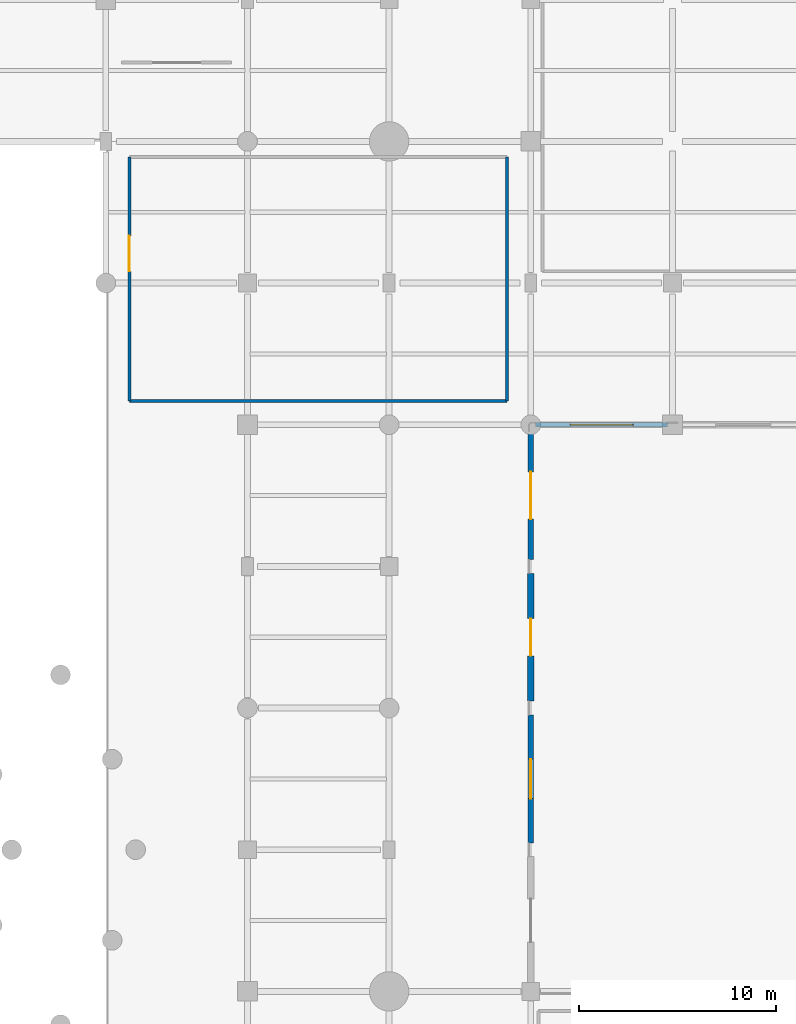
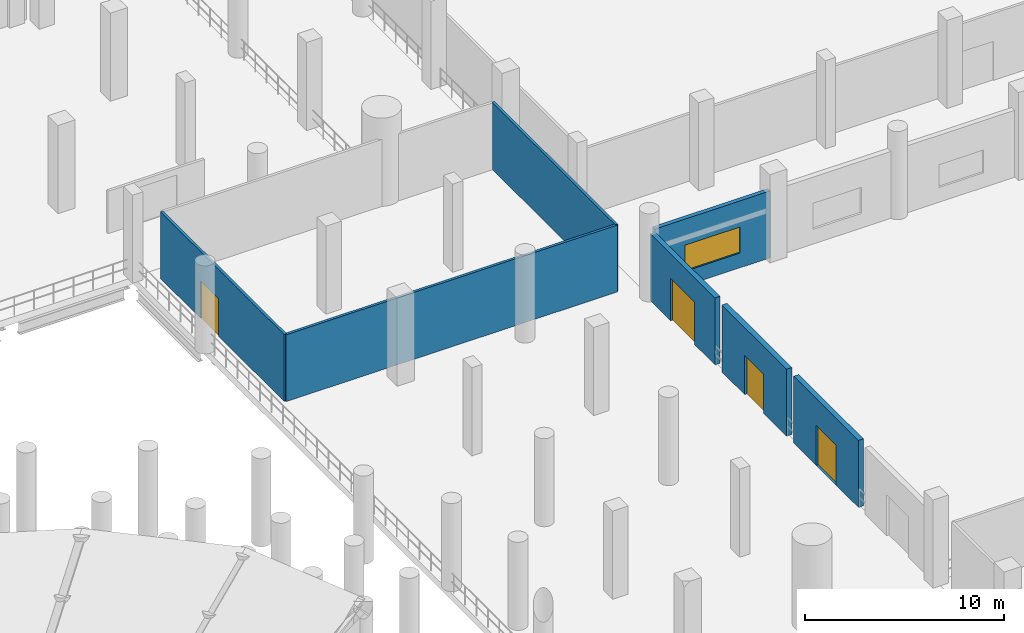
# One storey, part 37 of 58: 7 walls, 4 doors, 1 window, 5 openings.
"""IFC4 building model written with IfcOpenShell, lengths in metres."""

import ifcopenshell
import ifcopenshell.guid

model = None  # the IFC model being written
_history = None  # IfcOwnerHistory: only IFC2X3 demands one
_inside = {}  # id of a spatial element -> (the spatial element, [elements in it])
_under = {}  # id of a project, library or spatial element -> (it, [spatial elements below it])
_declared = {}  # id of a project -> (the project, [libraries it declares])
_typed = {}  # id of a type object -> (the type object, [elements of that type])
_made_of = {}  # id of a material, layer set ... -> (it, [elements and type objects made of it])


def new_model(schema):
    """Start an empty IFC model of exactly this schema.

    Asked for "IFC4X3", IfcOpenShell would pick the latest addendum, in which some entities
    have other attributes; the version numbers below select the first issue.
    IFC2X3 requires an IfcOwnerHistory on every rooted entity: one is made here for all.
    """
    global model, _history
    if schema == "IFC4X3":
        model = ifcopenshell.file(schema_version=(4, 3, 0, 0))
    else:
        model = ifcopenshell.file(schema=schema)
    _inside.clear()
    _under.clear()
    _declared.clear()
    _typed.clear()
    _made_of.clear()
    _history = None
    if model.schema == "IFC2X3":
        org = make("IfcOrganization", Name="unknown")
        user = make(
            "IfcPersonAndOrganization",
            ThePerson=make("IfcPerson", FamilyName="unknown"),
            TheOrganization=org,
        )
        app = make(
            "IfcApplication",
            ApplicationDeveloper=org,
            Version="unknown",
            ApplicationFullName="unknown",
            ApplicationIdentifier="unknown",
        )
        _history = make(
            "IfcOwnerHistory",
            OwningUser=user,
            OwningApplication=app,
            ChangeAction="ADDED",
            CreationDate=0,
        )
    return model


def make(cls, **values):
    """One entity of the class cls with the attributes given. An attribute that is None is left unset."""
    return model.create_entity(
        cls, **{name: value for name, value in values.items() if value is not None}
    )


def rooted(cls, **values):
    """An entity with a GlobalId (a new one), such as an element, a storey or a relation."""
    return make(cls, GlobalId=ifcopenshell.guid.new(), OwnerHistory=_history, **values)


def si_unit(unit_type, name, prefix=None):
    """IfcSIUnit, for example si_unit("LENGTHUNIT", "METRE", prefix="MILLI")."""
    return make("IfcSIUnit", UnitType=unit_type, Prefix=prefix, Name=name)


def assignment(units):
    """IfcUnitAssignment: the units of a project."""
    return None if units is None else make("IfcUnitAssignment", Units=units)


def point(xyz):
    """IfcCartesianPoint."""
    return None if xyz is None else make("IfcCartesianPoint", Coordinates=xyz)


def direction(xyz):
    """IfcDirection."""
    return None if xyz is None else make("IfcDirection", DirectionRatios=xyz)


def frame(location, z_axis=None, x_axis=None):
    """IfcAxis2Placement3D, a coordinate frame: its origin and axes. An axis left out is left unset."""
    return make(
        "IfcAxis2Placement3D",
        Location=point(location),
        Axis=direction(z_axis),
        RefDirection=direction(x_axis),
    )


def frame_2d(location, x_axis=None):
    """IfcAxis2Placement2D, a coordinate frame in the plane: its origin and x axis."""
    return make(
        "IfcAxis2Placement2D", Location=point(location), RefDirection=direction(x_axis)
    )


def origin():
    """The frame at (0, 0, 0) with its axes left unset."""
    return frame((0.0, 0.0, 0.0))


def place(relative_to, where):
    """IfcLocalPlacement: puts the frame where relative to a parent placement (None: the world)."""
    return make(
        "IfcLocalPlacement", PlacementRelTo=relative_to, RelativePlacement=where
    )


def context(
    kind, dimensions, precision=None, world=None, true_north=None, identifier=None
):
    """IfcGeometricRepresentationContext, for example the 3D "Model" context."""
    return make(
        "IfcGeometricRepresentationContext",
        ContextIdentifier=identifier,
        ContextType=kind,
        CoordinateSpaceDimension=dimensions,
        Precision=precision,
        WorldCoordinateSystem=world,
        TrueNorth=true_north,
    )


def subcontext(parent, identifier, kind, view, scale=None):
    """IfcGeometricRepresentationSubContext, for example "Body" below "Model"."""
    return make(
        "IfcGeometricRepresentationSubContext",
        ContextIdentifier=identifier,
        ContextType=kind,
        ParentContext=parent,
        TargetScale=scale,
        TargetView=view,
    )


def project(units=None, contexts=None):
    """IfcProject with its units and contexts."""
    return rooted(
        "IfcProject",
        Name="project",
        RepresentationContexts=contexts,
        UnitsInContext=assignment(units),
    )


def spatial(cls, under=None, at=None, **own):
    """A site, building, storey or space (cls), placed at a placement, below another one or the project."""
    s = rooted(cls, ObjectPlacement=at, **own)
    if under is not None:
        _under.setdefault(under.id(), (under, []))[1].append(s)
    return s


def profile(cls, at=None, kind="AREA", **sizes):
    """A parametric profile (cls). Its sizes go by their IFC names, for example OverallWidth=200.0."""
    return make(cls, ProfileType=kind, Position=at, **sizes)


def rectangle(**sizes):
    """IfcRectangleProfileDef."""
    return profile("IfcRectangleProfileDef", **sizes)


def extrude(swept, where, along, depth):
    """IfcExtrudedAreaSolid: the profile swept, set in the frame where, extruded along a direction by depth."""
    return make(
        "IfcExtrudedAreaSolid",
        SweptArea=swept,
        Position=where,
        ExtrudedDirection=direction(along),
        Depth=depth,
    )


def shape(context_of_items, identifier, shape_type, items):
    """IfcShapeRepresentation: the items that make up one representation, for example the "Body"."""
    return make(
        "IfcShapeRepresentation",
        ContextOfItems=context_of_items,
        RepresentationIdentifier=identifier,
        RepresentationType=shape_type,
        Items=items,
    )


def material(Name=None, Category=None):
    """IfcMaterial."""
    return make("IfcMaterial", Name=Name, Category=Category)


def layer(
    of_material, thickness, ventilated=None, Name=None, Category=None, Priority=None
):
    """IfcMaterialLayer: one layer of a wall or slab, of a material (None: an air gap)."""
    return make(
        "IfcMaterialLayer",
        Material=of_material,
        LayerThickness=thickness,
        IsVentilated=ventilated,
        Name=Name,
        Category=Category,
        Priority=Priority,
    )


def layer_set(layers, Name=None):
    """IfcMaterialLayerSet."""
    return make("IfcMaterialLayerSet", MaterialLayers=layers, LayerSetName=Name)


def made_of(thing, what):
    """Note that an element or type object is made of a material, layer set ...; save() writes the relation."""
    if what is not None:
        _made_of.setdefault(what.id(), (what, []))[1].append(thing)
    return thing


def type_object(cls, material=None, **own):
    """A type object (cls), such as IfcWallType, which elements share."""
    return made_of(rooted(cls, **own), material)


def element(
    cls,
    number,
    at=None,
    inside=None,
    cuts=None,
    type_object=None,
    material=None,
    context=None,
    identifier="Body",
    shape_type=None,
    held_by="IfcProductDefinitionShape",
    body=None,
    shapes=None,
    **own,
):
    """One element of the class cls, such as IfcWall. Its Tag is "e" and its number.

    at: its placement. inside: the storey or other place that contains it. cuts: it is an
    opening in that element (IfcRelVoidsElement). A single representation is given by context,
    identifier, shape_type and body (its items); several are given by shapes. held_by: the class
    of the entity that holds the representations. save() writes the other relations.
    """
    e = rooted(cls, Tag="e%d" % number, ObjectPlacement=at, **own)
    if body is not None:
        shapes = [shape(context, identifier, shape_type, body)]
    if shapes is not None:
        e.Representation = make(held_by, Representations=shapes)
    if inside is not None:
        _inside.setdefault(inside.id(), (inside, []))[1].append(e)
    if cuts is not None:
        rooted(
            "IfcRelVoidsElement", RelatingBuildingElement=cuts, RelatedOpeningElement=e
        )
    if type_object is not None:
        _typed.setdefault(type_object.id(), (type_object, []))[1].append(e)
    return made_of(e, material)


def fill(opening, filler):
    """IfcRelFillsElement: the door or window that sits in an opening."""
    return rooted(
        "IfcRelFillsElement",
        RelatingOpeningElement=opening,
        RelatedBuildingElement=filler,
    )


def aggregate(whole, parts):
    """IfcRelAggregates: a whole, such as a stair, and the parts it consists of."""
    return rooted("IfcRelAggregates", RelatingObject=whole, RelatedObjects=parts)


def save(model, path):
    """Write the relations noted so far, then the file.

    IfcRelAggregates (storeys below a building ...), IfcRelContainedInSpatialStructure (elements
    in a storey), IfcRelDefinesByType, IfcRelAssociatesMaterial and IfcRelDeclares: one each for
    every whole, place, type object, material and project.
    """
    for whole, parts in _under.values():
        aggregate(whole, parts)
    for where, things in _inside.values():
        rooted(
            "IfcRelContainedInSpatialStructure",
            RelatedElements=things,
            RelatingStructure=where,
        )
    for kind, things in _typed.values():
        rooted("IfcRelDefinesByType", RelatedObjects=things, RelatingType=kind)
    for what, things in _made_of.values():
        rooted("IfcRelAssociatesMaterial", RelatedObjects=things, RelatingMaterial=what)
    for by, libraries in _declared.values():
        rooted("IfcRelDeclares", RelatingContext=by, RelatedDefinitions=libraries)
    model.write(path)


model = new_model("IFC4")

# Units and contexts
model_context = context("Model", 3, precision=1e-05, world=origin(), true_north=direction((0.0, 1.0)))
body_context = subcontext(model_context, "Body", "Model", "MODEL_VIEW")
ifc_project = project(units=[si_unit("LENGTHUNIT", "METRE"), si_unit("AREAUNIT", "SQUARE_METRE"), si_unit("VOLUMEUNIT", "CUBIC_METRE"), si_unit("PLANEANGLEUNIT", "RADIAN"), si_unit("MASSUNIT", "GRAM", prefix="KILO")], contexts=[model_context])

# Site, building, storey
site_placement = place(None, origin())
site = spatial("IfcSite", under=ifc_project, at=site_placement, CompositionType="ELEMENT")
building_placement = place(site_placement, origin())
building = spatial("IfcBuilding", under=site, at=building_placement, Name="Qandorah Velis Arena", CompositionType="ELEMENT")
storey_placement = place(building_placement, origin())
storey = spatial("IfcBuildingStorey", under=building, at=storey_placement, Name="L00", CompositionType="ELEMENT", Elevation=0.0)

# Wall, opening, window
ifc_material_1 = material(Name="Precast concrete C40/50", Category="concrete")
ifc_layer_1 = layer(ifc_material_1, 0.239990234375)
ifc_layer_set_1 = layer_set([ifc_layer_1], Name="Precast concrete C40/50")
wall_type_1 = type_object("IfcWallType", Name="ARC-WAL-EXT240", PredefinedType="SOLIDWALL", material=ifc_layer_set_1)
wall_1_placement = place(storey_placement, frame((122.64990234375, 86.39990234375, 0.0), z_axis=(0.0, 0.0, 1.0), x_axis=(1.0, 0.0, 0.0)))
wall_1 = element("IfcWall", 1, at=wall_1_placement, inside=storey, type_object=wall_type_1, Name="Precast exterior facade wall L00-15", PredefinedType="SOLIDWALL", context=body_context, shape_type="SweptSolid", body=[
    extrude(rectangle(XDim=6.7001953125, YDim=0.239990234375, at=frame_2d((3.35009765625, 0.0))), origin(), (0.0, 0.0, 1.0), 4.10009765625),
])
opening_1_placement = place(wall_1_placement, frame((1.75, 0.0, 0.89990234375)))
opening_1 = element("IfcOpeningElement", 2, at=opening_1_placement, cuts=wall_1, Name="Opening W15", PredefinedType="OPENING", context=body_context, shape_type="SweptSolid", body=[
    extrude(rectangle(XDim=3.199951171875, YDim=1.60009765625, at=frame_2d((1.60009765625, 0.800048828125))), frame((0.0, 0.1298828125, 0.0), z_axis=(0.0, -1.0, 0.0), x_axis=(1.0, 0.0, 0.0)), (0.0, 0.0, 1.0), 0.260009765625),
])
ifc_material_2 = material(Name="Solar-control low-E double glazing", Category="glass")
window_type = type_object("IfcWindowType", Name="ARC-WIN-3200X1600", PartitioningType="TRIPLE_PANEL_VERTICAL", PredefinedType="WINDOW", material=ifc_material_2)
window_placement = place(opening_1_placement, origin())
window = element("IfcWindow", 3, at=window_placement, inside=storey, type_object=window_type, Name="Exterior low-E window L00-015", OverallHeight=1.60009765625, OverallWidth=3.199951171875, PartitioningType="SINGLE_PANEL", PredefinedType="WINDOW", context=body_context, shape_type="SweptSolid", body=[
    extrude(rectangle(XDim=3.199951171875, YDim=1.60009765625, at=frame_2d((1.60009765625, 0.800048828125))), frame((0.0, 0.030029296875, 0.0), z_axis=(0.0, -1.0, 0.0), x_axis=(1.0, 0.0, 0.0)), (0.0, 0.0, 1.0), 0.06005859375),
])
fill(opening_1, window)

# Wall, opening, door
ifc_layer_2 = layer(ifc_material_1, 0.2900390625)
ifc_layer_set_2 = layer_set([ifc_layer_2], Name="Precast concrete C40/50")
wall_type_2 = type_object("IfcWallType", Name="ARC-WAL-EXT290", PredefinedType="SOLIDWALL", material=ifc_layer_set_2)
wall_2_placement = place(storey_placement, frame((122.39990234375, 65.14990234375, 0.0), z_axis=(0.0, 0.0, 1.0), x_axis=(0.0, 1.0, 0.0)))
wall_2 = element("IfcWall", 4, at=wall_2_placement, inside=storey, type_object=wall_type_2, Name="Perimeter concourse exit wall G23", PredefinedType="SOLIDWALL", context=body_context, shape_type="SweptSolid", body=[
    extrude(rectangle(XDim=6.5, YDim=0.2900390625, at=frame_2d((3.25, 0.0))), origin(), (0.0, 0.0, 1.0), 4.10009765625),
])
opening_2_placement = place(wall_2_placement, frame((2.25, 0.0, 0.0)))
opening_2 = element("IfcOpeningElement", 5, at=opening_2_placement, cuts=wall_2, Name="Opening G23", PredefinedType="OPENING", context=body_context, shape_type="SweptSolid", body=[
    extrude(rectangle(XDim=2.0, YDim=2.449951171875, at=frame_2d((1.0, 1.22509765625))), frame((0.0, 0.155029296875, 0.0), z_axis=(0.0, -1.0, 0.0), x_axis=(1.0, 0.0, 0.0)), (0.0, 0.0, 1.0), 0.31005859375),
])
ifc_material_3 = material(Name="Insulated galvanized steel exit door", Category="steel")
door_type_1 = type_object("IfcDoorType", Name="ARC-DR-EXT2000", OperationType="NOTDEFINED", PredefinedType="DOOR", material=ifc_material_3)
door_1_placement = place(opening_2_placement, frame((2.0, 0.0, 0.0), z_axis=(0.0, 0.0, 1.0), x_axis=(-1.0, 0.0, 0.0)))
door_1 = element("IfcDoor", 6, at=door_1_placement, inside=storey, type_object=door_type_1, Name="Pedestrian exit door G23", OperationType="SINGLE_SWING_RIGHT", OverallHeight=2.449951171875, OverallWidth=2.0, PredefinedType="DOOR", context=body_context, shape_type="SweptSolid", body=[
    extrude(rectangle(XDim=2.0, YDim=2.449951171875, at=frame_2d((1.0, 1.22509765625))), frame((0.0, 0.02490234375, 0.0), z_axis=(0.0, -1.0, 0.0), x_axis=(1.0, 0.0, 0.0)), (0.0, 0.0, 1.0), 0.050048828125),
])
fill(opening_2, door_1)

wall_3_placement = place(storey_placement, frame((122.39990234375, 79.550048828125, 0.0), z_axis=(0.0, 0.0, 1.0), x_axis=(0.0, 1.0, 0.0)))
wall_3 = element("IfcWall", 7, at=wall_3_placement, inside=storey, type_object=wall_type_2, Name="Perimeter concourse exit wall G25", PredefinedType="SOLIDWALL", context=body_context, shape_type="SweptSolid", body=[
    extrude(rectangle(XDim=6.5, YDim=0.2900390625, at=frame_2d((3.25, 0.0))), origin(), (0.0, 0.0, 1.0), 4.10009765625),
])
opening_3_placement = place(wall_3_placement, frame((2.050048828125, 0.0, 0.0)))
opening_3 = element("IfcOpeningElement", 8, at=opening_3_placement, cuts=wall_3, Name="Opening G25", PredefinedType="OPENING", context=body_context, shape_type="SweptSolid", body=[
    extrude(rectangle(XDim=2.39990234375, YDim=2.60009765625, at=frame_2d((1.199951171875, 1.300048828125))), frame((0.0, 0.155029296875, 0.0), z_axis=(0.0, -1.0, 0.0), x_axis=(1.0, 0.0, 0.0)), (0.0, 0.0, 1.0), 0.31005859375),
])
door_type_2 = type_object("IfcDoorType", Name="ARC-DR-EXT2400", OperationType="NOTDEFINED", PredefinedType="DOOR", material=ifc_material_3)
door_2_placement = place(opening_3_placement, frame((2.39990234375, 0.0, 0.0), z_axis=(0.0, 0.0, 1.0), x_axis=(-1.0, 0.0, 0.0)))
door_2 = element("IfcDoor", 9, at=door_2_placement, inside=storey, type_object=door_type_2, Name="Pedestrian exit door G25", OperationType="SINGLE_SWING_RIGHT", OverallHeight=2.60009765625, OverallWidth=2.39990234375, PredefinedType="DOOR", context=body_context, shape_type="SweptSolid", body=[
    extrude(rectangle(XDim=2.39990234375, YDim=2.60009765625, at=frame_2d((1.199951171875, 1.300048828125))), frame((0.0, 0.02490234375, 0.0), z_axis=(0.0, -1.0, 0.0), x_axis=(1.0, 0.0, 0.0)), (0.0, 0.0, 1.0), 0.050048828125),
])
fill(opening_3, door_2)

ifc_layer_3 = layer(ifc_material_1, 0.31005859375)
ifc_layer_set_3 = layer_set([ifc_layer_3], Name="Precast concrete C40/50")
wall_type_3 = type_object("IfcWallType", Name="ARC-WAL-EXT310", PredefinedType="SOLIDWALL", material=ifc_layer_set_3)
wall_4_placement = place(storey_placement, frame((122.39990234375, 72.35009765625, 0.0), z_axis=(0.0, 0.0, 1.0), x_axis=(0.0, 1.0, 0.0)))
wall_4 = element("IfcWall", 10, at=wall_4_placement, inside=storey, type_object=wall_type_3, Name="Perimeter concourse exit wall G24", PredefinedType="SOLIDWALL", context=body_context, shape_type="SweptSolid", body=[
    extrude(rectangle(XDim=6.5, YDim=0.31005859375, at=frame_2d((3.25, 0.0))), origin(), (0.0, 0.0, 1.0), 4.10009765625),
])
opening_4_placement = place(wall_4_placement, frame((2.300048828125, 0.0, 0.0)))
opening_4 = element("IfcOpeningElement", 11, at=opening_4_placement, cuts=wall_4, Name="Opening G24", PredefinedType="OPENING", context=body_context, shape_type="SweptSolid", body=[
    extrude(rectangle(XDim=1.89990234375, YDim=2.39990234375, at=frame_2d((0.949951171875, 1.199951171875))), frame((0.0, 0.1650390625, 0.0), z_axis=(0.0, -1.0, 0.0), x_axis=(1.0, 0.0, 0.0)), (0.0, 0.0, 1.0), 0.330078125),
])
door_type_3 = type_object("IfcDoorType", Name="ARC-DR-EXT1900", OperationType="NOTDEFINED", PredefinedType="DOOR", material=ifc_material_3)
door_3_placement = place(opening_4_placement, frame((1.89990234375, 0.0, 0.0), z_axis=(0.0, 0.0, 1.0), x_axis=(-1.0, 0.0, 0.0)))
door_3 = element("IfcDoor", 12, at=door_3_placement, inside=storey, type_object=door_type_3, Name="Pedestrian exit door G24", OperationType="SINGLE_SWING_LEFT", OverallHeight=2.39990234375, OverallWidth=1.89990234375, PredefinedType="DOOR", context=body_context, shape_type="SweptSolid", body=[
    extrude(rectangle(XDim=1.89990234375, YDim=2.39990234375, at=frame_2d((0.949951171875, 1.199951171875))), frame((0.0, 0.02490234375, 0.0), z_axis=(0.0, -1.0, 0.0), x_axis=(1.0, 0.0, 0.0)), (0.0, 0.0, 1.0), 0.050048828125),
])
fill(opening_4, door_3)

# Walls
ifc_material_4 = material(Name="Concrete C35/45", Category="concrete")
ifc_layer_4 = layer(ifc_material_4, 0.14990234375)
ifc_layer_set_4 = layer_set([ifc_layer_4], Name="Concrete C35/45")
wall_type_4 = type_object("IfcWallType", Name="ARC-WAL-PART150", PredefinedType="PARTITIONING", material=ifc_layer_set_4)
wall_5_placement = place(storey_placement, frame((102.0, 87.60009765625, 0.0), z_axis=(0.0, 0.0, 1.0), x_axis=(1.0, 0.0, 0.0)))
element("IfcWall", 13, at=wall_5_placement, inside=storey, type_object=wall_type_4, Name="Interior partition L00-FIT (S)", PredefinedType="PARTITIONING", context=body_context, shape_type="SweptSolid", body=[
    extrude(rectangle(XDim=19.199951171875, YDim=0.14990234375, at=frame_2d((9.60009765625, 0.0))), origin(), (0.0, 0.0, 1.0), 4.10009765625),
])
wall_6_placement = place(storey_placement, frame((121.199951171875, 87.60009765625, 0.0), z_axis=(0.0, 0.0, 1.0), x_axis=(0.0, 1.0, 0.0)))
element("IfcWall", 14, at=wall_6_placement, inside=storey, type_object=wall_type_4, Name="Interior partition L00-FIT (E)", PredefinedType="PARTITIONING", context=body_context, shape_type="SweptSolid", body=[
    extrude(rectangle(XDim=12.39990234375, YDim=0.14990234375, at=frame_2d((6.199951171875, 0.0))), origin(), (0.0, 0.0, 1.0), 4.10009765625),
])

# Wall, opening, door
wall_7_placement = place(storey_placement, frame((102.0, 100.0, 0.0), z_axis=(0.0, 0.0, 1.0), x_axis=(0.0, -1.0, 0.0)))
wall_7 = element("IfcWall", 15, at=wall_7_placement, inside=storey, type_object=wall_type_4, Name="Interior partition L00-FIT (W)", PredefinedType="PARTITIONING", context=body_context, shape_type="SweptSolid", body=[
    extrude(rectangle(XDim=12.39990234375, YDim=0.14990234375, at=frame_2d((6.199951171875, 0.0))), origin(), (0.0, 0.0, 1.0), 4.10009765625),
])
opening_5_placement = place(wall_7_placement, frame((4.0, 0.0, 0.0)))
opening_5 = element("IfcOpeningElement", 16, at=opening_5_placement, cuts=wall_7, Name="Opening D3", PredefinedType="OPENING", context=body_context, shape_type="SweptSolid", body=[
    extrude(rectangle(XDim=1.800048828125, YDim=2.300048828125, at=frame_2d((0.89990234375, 1.14990234375))), frame((0.0, 0.0849609375, 0.0), z_axis=(0.0, -1.0, 0.0), x_axis=(1.0, 0.0, 0.0)), (0.0, 0.0, 1.0), 0.169921875),
])
ifc_material_5 = material(Name="Double-leaf acoustic timber door", Category="wood")
door_type_4 = type_object("IfcDoorType", Name="ARC-DR-DBL1800", OperationType="NOTDEFINED", PredefinedType="DOOR", material=ifc_material_5)
door_4_placement = place(opening_5_placement, frame((1.800048828125, 0.0, 0.0), z_axis=(0.0, 0.0, 1.0), x_axis=(-1.0, 0.0, 0.0)))
door_4 = element("IfcDoor", 17, at=door_4_placement, inside=storey, type_object=door_type_4, Name="Door L00-FIT", OperationType="DOUBLE_DOOR_SINGLE_SWING", OverallHeight=2.300048828125, OverallWidth=1.800048828125, PredefinedType="DOOR", context=body_context, shape_type="SweptSolid", body=[
    extrude(rectangle(XDim=1.800048828125, YDim=2.300048828125, at=frame_2d((0.89990234375, 1.14990234375))), frame((0.0, 0.02490234375, 0.0), z_axis=(0.0, -1.0, 0.0), x_axis=(1.0, 0.0, 0.0)), (0.0, 0.0, 1.0), 0.050048828125),
])
fill(opening_5, door_4)

save(model, "model.ifc")
